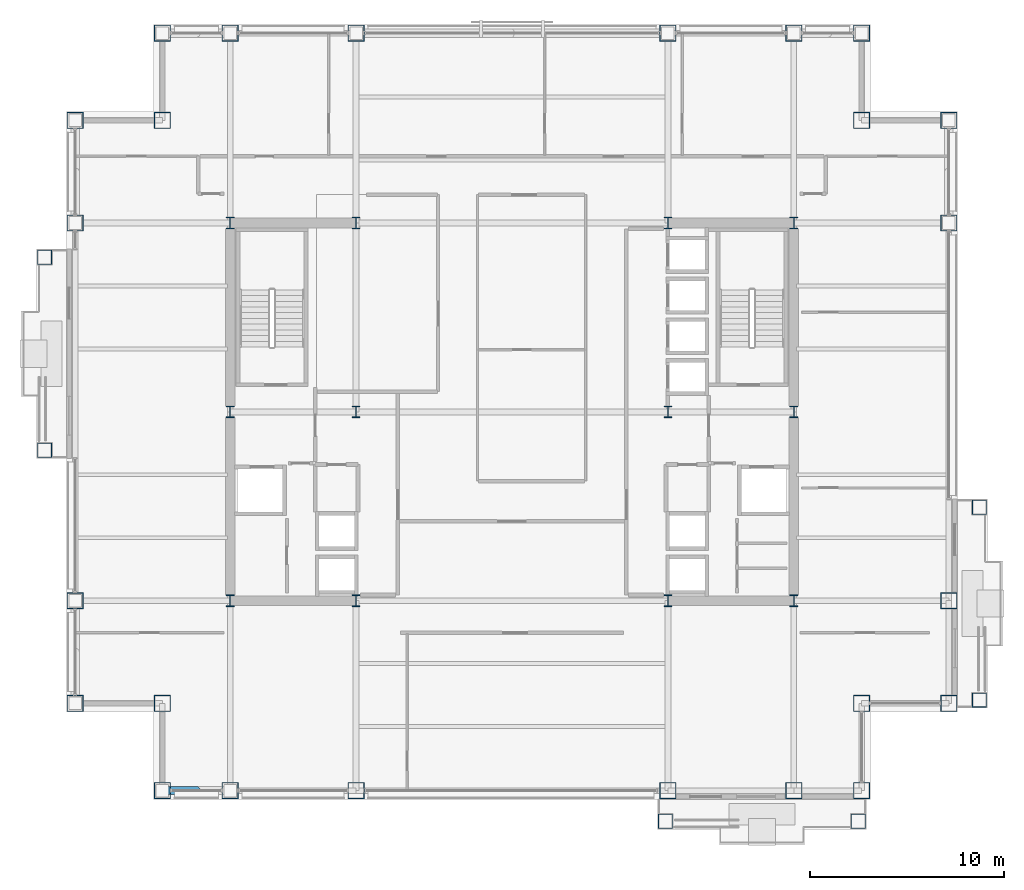
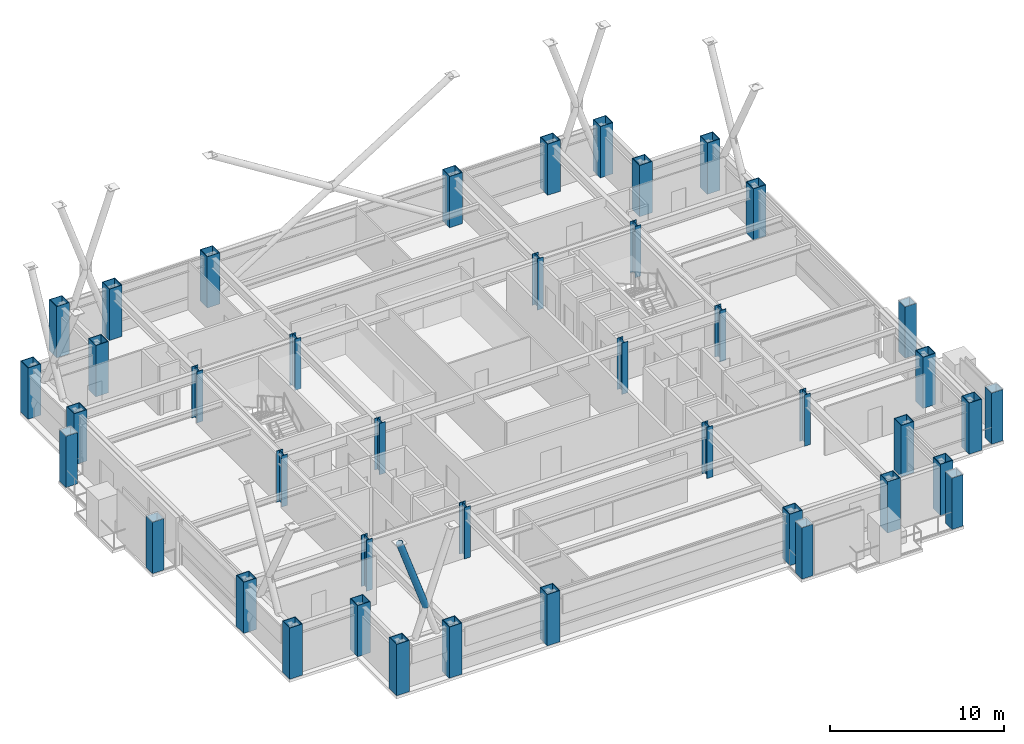
# One storey, part 1 of 32: 42 columns, 1 member.
"""IFC4 building model written with IfcOpenShell, lengths in metres."""

from ifc_helpers import new_model, si_unit, direction, frame, origin, origin_2d, place, context, subcontext, project, spatial, hollow_rectangle, hollow_circle, i_section, extrude, material, material_profile, profile_set, type_object, element, save


model = new_model("IFC4")

# Units and contexts
model_context = context("Model", 3, precision=1e-05, world=origin(), true_north=direction((0.0, 1.0)))
body_context = subcontext(model_context, "Body", "Model", "MODEL_VIEW")
ifc_project = project(units=[si_unit("LENGTHUNIT", "METRE"), si_unit("AREAUNIT", "SQUARE_METRE"), si_unit("VOLUMEUNIT", "CUBIC_METRE"), si_unit("PLANEANGLEUNIT", "RADIAN"), si_unit("MASSUNIT", "GRAM", prefix="KILO")], contexts=[model_context])

# Site, building, storey
site_placement = place(None, origin())
site = spatial("IfcSite", under=ifc_project, at=site_placement, CompositionType="ELEMENT")
building_placement = place(site_placement, origin())
building = spatial("IfcBuilding", under=site, at=building_placement, Name="Brelmoor Portico Tower", CompositionType="ELEMENT")
storey_placement = place(building_placement, frame((0.0, 0.0, 109.800048828125)))
storey = spatial("IfcBuildingStorey", under=building, at=storey_placement, Name="L28", CompositionType="ELEMENT", Elevation=109.800048828125)

# Columns
ifc_material = material(Name="Steel Q355B", Category="steel")
ifc_material_profile_1 = material_profile(ifc_material, hollow_rectangle(XDim=0.75, YDim=0.75, WallThickness=0.031982421875, at=origin_2d()), Name="BOX 750x750x32")
ifc_profile_set_1 = profile_set([ifc_material_profile_1], Name="Steel Q355B")
column_type_1 = type_object("IfcColumnType", Name="COL-MEGA-750", PredefinedType="COLUMN", material=ifc_profile_set_1)
for number, where, z_axis, x_axis, name in (
    (1, (7.919921875, -21.1298828125, 0.0), (0.0, 0.0, 1.0), (1.0, 0.0, 0.0), "L28 Proud Picture-Frame Pier PFJ-S1"),
    (2, (17.8798828125, -21.1298828125, 0.0), (0.0, 0.0, 1.0), (1.0, 0.0, 0.0), "L28 Proud Picture-Frame Pier PFJ-S2"),
    (3, (24.1298828125, -14.8798828125, 0.0), (0.0, 0.0, 1.0), (0.0, 1.0, 0.0), "L28 Proud Picture-Frame Pier PFJ-E1"),
    (4, (24.1298828125, -4.919921875, 0.0), (0.0, 0.0, 1.0), (0.0, 1.0, 0.0), "L28 Proud Picture-Frame Pier PFJ-E2"),
    (5, (-24.1298828125, -1.97998046875, 0.0), (0.0, 0.0, 1.0), (0.0, 1.0, 0.0), "L28 Proud Picture-Frame Pier PFJ-W1"),
    (6, (-24.1298828125, 7.97998046875, 0.0), (0.0, 0.0, 1.0), (0.0, 1.0, 0.0), "L28 Proud Picture-Frame Pier PFJ-W2"),
):
    element("IfcColumn", number, at=place(storey_placement, frame(where, z_axis=z_axis, x_axis=x_axis)), inside=storey, type_object=column_type_1, Name=name, PredefinedType="COLUMN", context=body_context, shape_type="SweptSolid", body=[
        extrude(hollow_rectangle(XDim=0.75, YDim=0.75, WallThickness=0.031982421875, at=origin_2d()), origin(), (0.0, 0.0, 1.0), 3.599853515625),
    ])
ifc_material_profile_2 = material_profile(ifc_material, hollow_rectangle(XDim=0.85009765625, YDim=0.85009765625, WallThickness=0.0400390625, at=origin_2d()), Name="BOX 850x850x40")
ifc_profile_set_2 = profile_set([ifc_material_profile_2], Name="Steel Q355B")
column_type_2 = type_object("IfcColumnType", Name="COL-MEGA-850", PredefinedType="COLUMN", material=ifc_profile_set_2)
for number, where, z_axis, x_axis, name in (
    (7, (-18.050048828125, -19.550048828125, 0.0), (0.0, 0.0, 1.0), (1.0, 0.0, 0.0), "L28 Perimeter Mega-Column PS01"),
    (8, (-14.550048828125, -19.550048828125, 0.0), (0.0, 0.0, 1.0), (1.0, 0.0, 0.0), "L28 Perimeter Mega-Column PS02"),
    (9, (-8.050048828125, -19.550048828125, 0.0), (0.0, 0.0, 1.0), (1.0, 0.0, 0.0), "L28 Perimeter Mega-Column PS03"),
    (10, (8.050048828125, -19.550048828125, 0.0), (0.0, 0.0, 1.0), (1.0, 0.0, 0.0), "L28 Perimeter Mega-Column PS04"),
    (11, (14.550048828125, -19.550048828125, 0.0), (0.0, 0.0, 1.0), (1.0, 0.0, 0.0), "L28 Perimeter Mega-Column PS05"),
    (12, (18.050048828125, -19.550048828125, 0.0), (0.0, 0.0, 1.0), (1.0, 0.0, 0.0), "L28 Perimeter Mega-Column PS06"),
    (13, (-18.050048828125, 19.550048828125, 0.0), (0.0, 0.0, 1.0), (1.0, 0.0, 0.0), "L28 Perimeter Mega-Column PN01"),
    (14, (-14.550048828125, 19.550048828125, 0.0), (0.0, 0.0, 1.0), (1.0, 0.0, 0.0), "L28 Perimeter Mega-Column PN02"),
    (15, (-8.050048828125, 19.550048828125, 0.0), (0.0, 0.0, 1.0), (1.0, 0.0, 0.0), "L28 Perimeter Mega-Column PN03"),
    (16, (8.050048828125, 19.550048828125, 0.0), (0.0, 0.0, 1.0), (1.0, 0.0, 0.0), "L28 Perimeter Mega-Column PN04"),
    (17, (14.550048828125, 19.550048828125, 0.0), (0.0, 0.0, 1.0), (1.0, 0.0, 0.0), "L28 Perimeter Mega-Column PN05"),
    (18, (18.050048828125, 19.550048828125, 0.0), (0.0, 0.0, 1.0), (1.0, 0.0, 0.0), "L28 Perimeter Mega-Column PN06"),
    (19, (-22.550048828125, -15.050048828125, 0.0), (0.0, 0.0, 1.0), (0.0, 1.0, 0.0), "L28 Perimeter Mega-Column PW01"),
    (20, (-22.550048828125, -9.75, 0.0), (0.0, 0.0, 1.0), (0.0, 1.0, 0.0), "L28 Perimeter Mega-Column PW02"),
    (21, (-22.550048828125, 9.75, 0.0), (0.0, 0.0, 1.0), (0.0, 1.0, 0.0), "L28 Perimeter Mega-Column PW03"),
    (22, (-22.550048828125, 15.050048828125, 0.0), (0.0, 0.0, 1.0), (0.0, 1.0, 0.0), "L28 Perimeter Mega-Column PW04"),
    (23, (22.550048828125, -15.050048828125, 0.0), (0.0, 0.0, 1.0), (0.0, 1.0, 0.0), "L28 Perimeter Mega-Column PE01"),
    (24, (22.550048828125, -9.75, 0.0), (0.0, 0.0, 1.0), (0.0, 1.0, 0.0), "L28 Perimeter Mega-Column PE02"),
    (25, (22.550048828125, 9.75, 0.0), (0.0, 0.0, 1.0), (0.0, 1.0, 0.0), "L28 Perimeter Mega-Column PE03"),
    (26, (22.550048828125, 15.050048828125, 0.0), (0.0, 0.0, 1.0), (0.0, 1.0, 0.0), "L28 Perimeter Mega-Column PE04"),
    (27, (-18.050048828125, 15.050048828125, 0.0), (0.0, 0.0, 1.0), (1.0, 0.0, 0.0), "L28 Perimeter Mega-Column PC-NW"),
    (28, (18.050048828125, 15.050048828125, 0.0), (0.0, 0.0, 1.0), (1.0, 0.0, 0.0), "L28 Perimeter Mega-Column PC-NE"),
    (29, (18.050048828125, -15.050048828125, 0.0), (0.0, 0.0, 1.0), (1.0, 0.0, 0.0), "L28 Perimeter Mega-Column PC-SE"),
    (30, (-18.050048828125, -15.050048828125, 0.0), (0.0, 0.0, 1.0), (1.0, 0.0, 0.0), "L28 Perimeter Mega-Column PC-SW"),
):
    element("IfcColumn", number, at=place(storey_placement, frame(where, z_axis=z_axis, x_axis=x_axis)), inside=storey, type_object=column_type_2, Name=name, PredefinedType="COLUMN", context=body_context, shape_type="SweptSolid", body=[
        extrude(hollow_rectangle(XDim=0.85009765625, YDim=0.85009765625, WallThickness=0.0400390625, at=origin_2d()), origin(), (0.0, 0.0, 1.0), 3.599853515625),
    ])
ifc_material_profile_3 = material_profile(ifc_material, i_section(OverallWidth=0.39990234375, OverallDepth=0.60009765625, WebThickness=0.02197265625, FlangeThickness=0.035888671875, at=origin_2d()), Name="HW 600x400x22x36")
ifc_profile_set_3 = profile_set([ifc_material_profile_3], Name="Steel Q355B")
column_type_3 = type_object("IfcColumnType", Name="COL-SPINE-600", PredefinedType="COLUMN", material=ifc_profile_set_3)
for number, where, z_axis, x_axis, name in (
    (31, (-14.550048828125, -9.75, 0.0), (0.0, 0.0, 1.0), (1.0, 0.0, 0.0), "L28 Core Spine Column CW-SW"),
    (32, (-14.550048828125, 0.0, 0.0), (0.0, 0.0, 1.0), (1.0, 0.0, 0.0), "L28 Core Spine Column CW-MW"),
    (33, (-14.550048828125, 9.75, 0.0), (0.0, 0.0, 1.0), (1.0, 0.0, 0.0), "L28 Core Spine Column CW-NW"),
    (34, (-8.050048828125, -9.75, 0.0), (0.0, 0.0, 1.0), (1.0, 0.0, 0.0), "L28 Core Spine Column CW-SE"),
    (35, (-8.050048828125, 0.0, 0.0), (0.0, 0.0, 1.0), (1.0, 0.0, 0.0), "L28 Core Spine Column CW-ME"),
    (36, (-8.050048828125, 9.75, 0.0), (0.0, 0.0, 1.0), (1.0, 0.0, 0.0), "L28 Core Spine Column CW-NE"),
    (37, (8.050048828125, -9.75, 0.0), (0.0, 0.0, 1.0), (1.0, 0.0, 0.0), "L28 Core Spine Column CE-SW"),
    (38, (8.050048828125, 0.0, 0.0), (0.0, 0.0, 1.0), (1.0, 0.0, 0.0), "L28 Core Spine Column CE-MW"),
    (39, (8.050048828125, 9.75, 0.0), (0.0, 0.0, 1.0), (1.0, 0.0, 0.0), "L28 Core Spine Column CE-NW"),
    (40, (14.550048828125, -9.75, 0.0), (0.0, 0.0, 1.0), (1.0, 0.0, 0.0), "L28 Core Spine Column CE-SE"),
    (41, (14.550048828125, 0.0, 0.0), (0.0, 0.0, 1.0), (1.0, 0.0, 0.0), "L28 Core Spine Column CE-ME"),
    (42, (14.550048828125, 9.75, 0.0), (0.0, 0.0, 1.0), (1.0, 0.0, 0.0), "L28 Core Spine Column CE-NE"),
):
    element("IfcColumn", number, at=place(storey_placement, frame(where, z_axis=z_axis, x_axis=x_axis)), inside=storey, type_object=column_type_3, Name=name, PredefinedType="COLUMN", context=body_context, shape_type="SweptSolid", body=[
        extrude(i_section(OverallWidth=0.39990234375, OverallDepth=0.60009765625, WebThickness=0.02197265625, FlangeThickness=0.035888671875, at=origin_2d()), origin(), (0.0, 0.0, 1.0), 3.599853515625),
    ])

# Member
ifc_material_profile_4 = material_profile(ifc_material, hollow_circle(Radius=0.212890625, WallThickness=0.02001953125, at=origin_2d()), Name="CHS 426x20")
ifc_profile_set_4 = profile_set([ifc_material_profile_4], Name="Steel Q355B")
member_type = type_object("IfcMemberType", Name="MB-BELT-DIAG1", PredefinedType="BRACE", material=ifc_profile_set_4)
member_placement = place(storey_placement, frame((-16.300048828125, -19.550048828125, 5.300048828125), z_axis=(-0.327443165844, 0.0, 0.944870876439), x_axis=(0.0, -1.0, 0.0)))
element("IfcMember", 43, at=member_placement, inside=storey, type_object=member_type, Name="L28 Split Mega-X Brace 057B2", PredefinedType="BRACE", context=body_context, shape_type="SweptSolid", body=[
    extrude(hollow_circle(Radius=0.212890625, WallThickness=0.02001953125, at=origin_2d()), origin(), (0.0, 0.0, 1.0), 5.344482421875),
])

save(model, "model.ifc")
